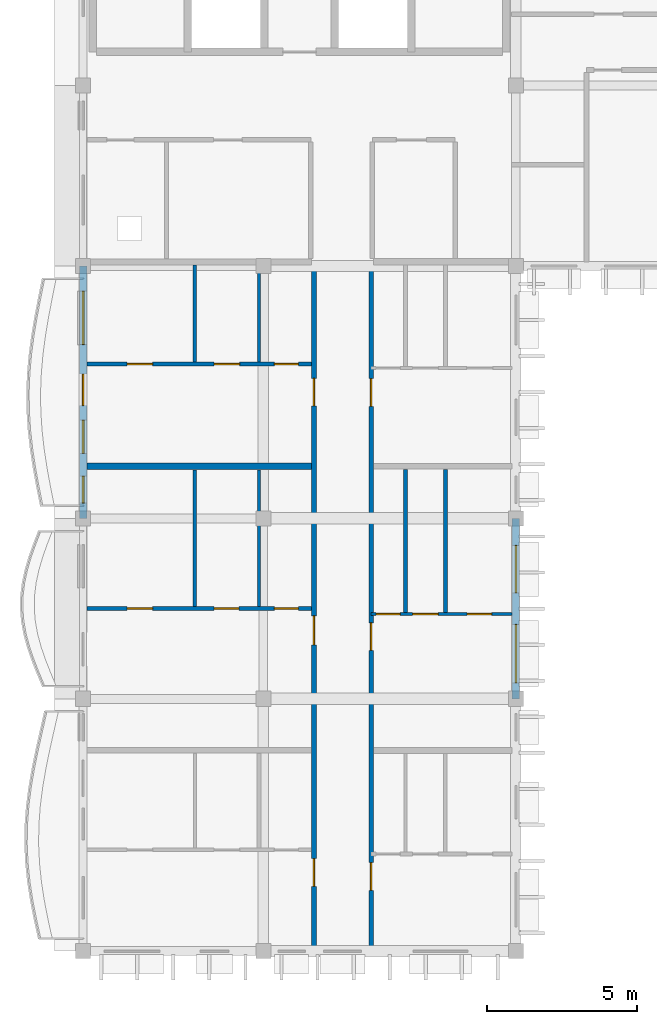
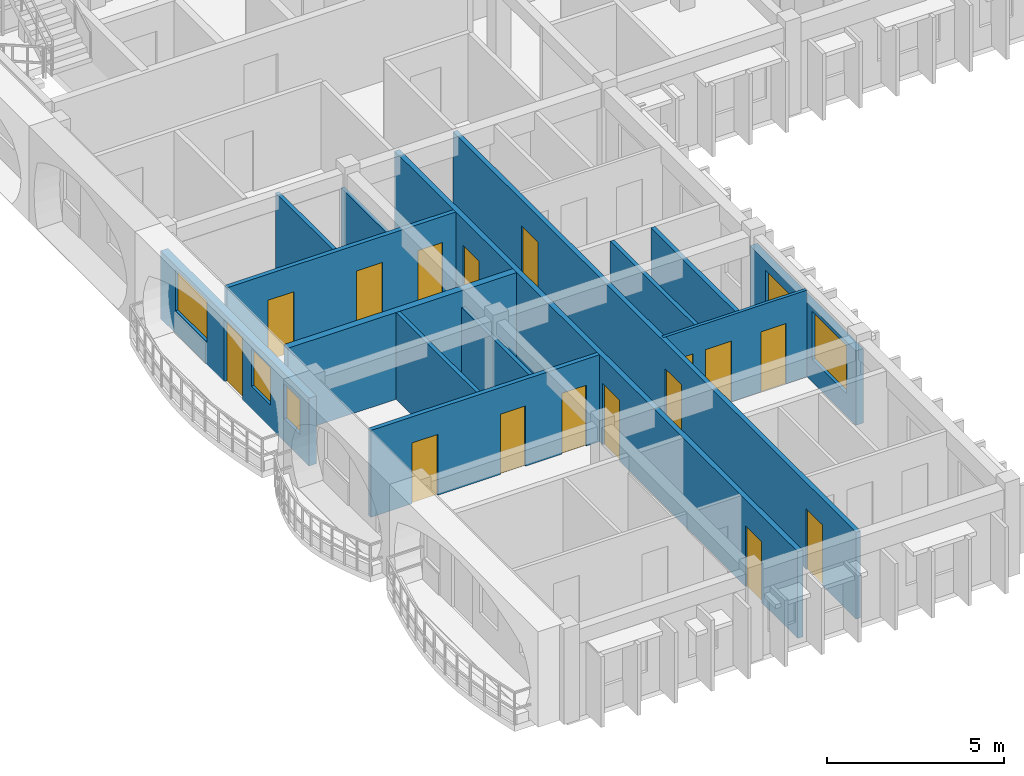
# One storey, part 7 of 28: 16 doors, 14 walls, 5 windows, 21 openings.
"""IFC4 building model written with IfcOpenShell, lengths in metres."""

import ifcopenshell
import ifcopenshell.guid

model = None  # the IFC model being written
_history = None  # IfcOwnerHistory: only IFC2X3 demands one
_inside = {}  # id of a spatial element -> (the spatial element, [elements in it])
_under = {}  # id of a project, library or spatial element -> (it, [spatial elements below it])
_declared = {}  # id of a project -> (the project, [libraries it declares])
_typed = {}  # id of a type object -> (the type object, [elements of that type])
_made_of = {}  # id of a material, layer set ... -> (it, [elements and type objects made of it])


def new_model(schema):
    """Start an empty IFC model of exactly this schema.

    Asked for "IFC4X3", IfcOpenShell would pick the latest addendum, in which some entities
    have other attributes; the version numbers below select the first issue.
    IFC2X3 requires an IfcOwnerHistory on every rooted entity: one is made here for all.
    """
    global model, _history
    if schema == "IFC4X3":
        model = ifcopenshell.file(schema_version=(4, 3, 0, 0))
    else:
        model = ifcopenshell.file(schema=schema)
    _inside.clear()
    _under.clear()
    _declared.clear()
    _typed.clear()
    _made_of.clear()
    _history = None
    if model.schema == "IFC2X3":
        org = make("IfcOrganization", Name="unknown")
        user = make(
            "IfcPersonAndOrganization",
            ThePerson=make("IfcPerson", FamilyName="unknown"),
            TheOrganization=org,
        )
        app = make(
            "IfcApplication",
            ApplicationDeveloper=org,
            Version="unknown",
            ApplicationFullName="unknown",
            ApplicationIdentifier="unknown",
        )
        _history = make(
            "IfcOwnerHistory",
            OwningUser=user,
            OwningApplication=app,
            ChangeAction="ADDED",
            CreationDate=0,
        )
    return model


def make(cls, **values):
    """One entity of the class cls with the attributes given. An attribute that is None is left unset."""
    return model.create_entity(
        cls, **{name: value for name, value in values.items() if value is not None}
    )


def rooted(cls, **values):
    """An entity with a GlobalId (a new one), such as an element, a storey or a relation."""
    return make(cls, GlobalId=ifcopenshell.guid.new(), OwnerHistory=_history, **values)


def si_unit(unit_type, name, prefix=None):
    """IfcSIUnit, for example si_unit("LENGTHUNIT", "METRE", prefix="MILLI")."""
    return make("IfcSIUnit", UnitType=unit_type, Prefix=prefix, Name=name)


def assignment(units):
    """IfcUnitAssignment: the units of a project."""
    return None if units is None else make("IfcUnitAssignment", Units=units)


def point(xyz):
    """IfcCartesianPoint."""
    return None if xyz is None else make("IfcCartesianPoint", Coordinates=xyz)


def direction(xyz):
    """IfcDirection."""
    return None if xyz is None else make("IfcDirection", DirectionRatios=xyz)


def frame(location, z_axis=None, x_axis=None):
    """IfcAxis2Placement3D, a coordinate frame: its origin and axes. An axis left out is left unset."""
    return make(
        "IfcAxis2Placement3D",
        Location=point(location),
        Axis=direction(z_axis),
        RefDirection=direction(x_axis),
    )


def frame_2d(location, x_axis=None):
    """IfcAxis2Placement2D, a coordinate frame in the plane: its origin and x axis."""
    return make(
        "IfcAxis2Placement2D", Location=point(location), RefDirection=direction(x_axis)
    )


def origin():
    """The frame at (0, 0, 0) with its axes left unset."""
    return frame((0.0, 0.0, 0.0))


def place(relative_to, where):
    """IfcLocalPlacement: puts the frame where relative to a parent placement (None: the world)."""
    return make(
        "IfcLocalPlacement", PlacementRelTo=relative_to, RelativePlacement=where
    )


def context(
    kind, dimensions, precision=None, world=None, true_north=None, identifier=None
):
    """IfcGeometricRepresentationContext, for example the 3D "Model" context."""
    return make(
        "IfcGeometricRepresentationContext",
        ContextIdentifier=identifier,
        ContextType=kind,
        CoordinateSpaceDimension=dimensions,
        Precision=precision,
        WorldCoordinateSystem=world,
        TrueNorth=true_north,
    )


def subcontext(parent, identifier, kind, view, scale=None):
    """IfcGeometricRepresentationSubContext, for example "Body" below "Model"."""
    return make(
        "IfcGeometricRepresentationSubContext",
        ContextIdentifier=identifier,
        ContextType=kind,
        ParentContext=parent,
        TargetScale=scale,
        TargetView=view,
    )


def project(units=None, contexts=None):
    """IfcProject with its units and contexts."""
    return rooted(
        "IfcProject",
        Name="project",
        RepresentationContexts=contexts,
        UnitsInContext=assignment(units),
    )


def spatial(cls, under=None, at=None, **own):
    """A site, building, storey or space (cls), placed at a placement, below another one or the project."""
    s = rooted(cls, ObjectPlacement=at, **own)
    if under is not None:
        _under.setdefault(under.id(), (under, []))[1].append(s)
    return s


def profile(cls, at=None, kind="AREA", **sizes):
    """A parametric profile (cls). Its sizes go by their IFC names, for example OverallWidth=200.0."""
    return make(cls, ProfileType=kind, Position=at, **sizes)


def rectangle(**sizes):
    """IfcRectangleProfileDef."""
    return profile("IfcRectangleProfileDef", **sizes)


def extrude(swept, where, along, depth):
    """IfcExtrudedAreaSolid: the profile swept, set in the frame where, extruded along a direction by depth."""
    return make(
        "IfcExtrudedAreaSolid",
        SweptArea=swept,
        Position=where,
        ExtrudedDirection=direction(along),
        Depth=depth,
    )


def shape(context_of_items, identifier, shape_type, items):
    """IfcShapeRepresentation: the items that make up one representation, for example the "Body"."""
    return make(
        "IfcShapeRepresentation",
        ContextOfItems=context_of_items,
        RepresentationIdentifier=identifier,
        RepresentationType=shape_type,
        Items=items,
    )


def material(Name=None, Category=None):
    """IfcMaterial."""
    return make("IfcMaterial", Name=Name, Category=Category)


def layer(
    of_material, thickness, ventilated=None, Name=None, Category=None, Priority=None
):
    """IfcMaterialLayer: one layer of a wall or slab, of a material (None: an air gap)."""
    return make(
        "IfcMaterialLayer",
        Material=of_material,
        LayerThickness=thickness,
        IsVentilated=ventilated,
        Name=Name,
        Category=Category,
        Priority=Priority,
    )


def layer_set(layers, Name=None):
    """IfcMaterialLayerSet."""
    return make("IfcMaterialLayerSet", MaterialLayers=layers, LayerSetName=Name)


def made_of(thing, what):
    """Note that an element or type object is made of a material, layer set ...; save() writes the relation."""
    if what is not None:
        _made_of.setdefault(what.id(), (what, []))[1].append(thing)
    return thing


def type_object(cls, material=None, **own):
    """A type object (cls), such as IfcWallType, which elements share."""
    return made_of(rooted(cls, **own), material)


def element(
    cls,
    number,
    at=None,
    inside=None,
    cuts=None,
    type_object=None,
    material=None,
    context=None,
    identifier="Body",
    shape_type=None,
    held_by="IfcProductDefinitionShape",
    body=None,
    shapes=None,
    **own,
):
    """One element of the class cls, such as IfcWall. Its Tag is "e" and its number.

    at: its placement. inside: the storey or other place that contains it. cuts: it is an
    opening in that element (IfcRelVoidsElement). A single representation is given by context,
    identifier, shape_type and body (its items); several are given by shapes. held_by: the class
    of the entity that holds the representations. save() writes the other relations.
    """
    e = rooted(cls, Tag="e%d" % number, ObjectPlacement=at, **own)
    if body is not None:
        shapes = [shape(context, identifier, shape_type, body)]
    if shapes is not None:
        e.Representation = make(held_by, Representations=shapes)
    if inside is not None:
        _inside.setdefault(inside.id(), (inside, []))[1].append(e)
    if cuts is not None:
        rooted(
            "IfcRelVoidsElement", RelatingBuildingElement=cuts, RelatedOpeningElement=e
        )
    if type_object is not None:
        _typed.setdefault(type_object.id(), (type_object, []))[1].append(e)
    return made_of(e, material)


def fill(opening, filler):
    """IfcRelFillsElement: the door or window that sits in an opening."""
    return rooted(
        "IfcRelFillsElement",
        RelatingOpeningElement=opening,
        RelatedBuildingElement=filler,
    )


def aggregate(whole, parts):
    """IfcRelAggregates: a whole, such as a stair, and the parts it consists of."""
    return rooted("IfcRelAggregates", RelatingObject=whole, RelatedObjects=parts)


def save(model, path):
    """Write the relations noted so far, then the file.

    IfcRelAggregates (storeys below a building ...), IfcRelContainedInSpatialStructure (elements
    in a storey), IfcRelDefinesByType, IfcRelAssociatesMaterial and IfcRelDeclares: one each for
    every whole, place, type object, material and project.
    """
    for whole, parts in _under.values():
        aggregate(whole, parts)
    for where, things in _inside.values():
        rooted(
            "IfcRelContainedInSpatialStructure",
            RelatedElements=things,
            RelatingStructure=where,
        )
    for kind, things in _typed.values():
        rooted("IfcRelDefinesByType", RelatedObjects=things, RelatingType=kind)
    for what, things in _made_of.values():
        rooted("IfcRelAssociatesMaterial", RelatedObjects=things, RelatingMaterial=what)
    for by, libraries in _declared.values():
        rooted("IfcRelDeclares", RelatingContext=by, RelatedDefinitions=libraries)
    model.write(path)


model = new_model("IFC4")

# Units and contexts
model_context = context("Model", 3, precision=1e-05, world=origin(), true_north=direction((0.0, 1.0)))
body_context = subcontext(model_context, "Body", "Model", "MODEL_VIEW")
ifc_project = project(units=[si_unit("LENGTHUNIT", "METRE"), si_unit("AREAUNIT", "SQUARE_METRE"), si_unit("VOLUMEUNIT", "CUBIC_METRE"), si_unit("PLANEANGLEUNIT", "RADIAN"), si_unit("MASSUNIT", "GRAM", prefix="KILO"), si_unit("THERMODYNAMICTEMPERATUREUNIT", "KELVIN")], contexts=[model_context])

# Site, building, storey
site_placement = place(None, origin())
site = spatial("IfcSite", under=ifc_project, at=site_placement, CompositionType="ELEMENT")
building_placement = place(site_placement, origin())
building = spatial("IfcBuilding", under=site, at=building_placement, Name="Thalorik Housing Commons", CompositionType="ELEMENT")
storey_placement = place(building_placement, frame((0.0, 0.0, 41.10009765625)))
storey = spatial("IfcBuildingStorey", under=building, at=storey_placement, Name="L12", CompositionType="ELEMENT", Elevation=41.10009765625)

# Wall, openings, doors
ifc_material_1 = material(Name="Masonry fire-rated corridor wall", Category="masonry")
ifc_layer_1 = layer(ifc_material_1, 0.14990234375, Name="Masonry fire-rated corridor wall", Category="masonry")
ifc_layer_set_1 = layer_set([ifc_layer_1], Name="Masonry fire-rated corridor wall")
wall_type_1 = type_object("IfcWallType", Name="ARC-WAL-CORR-150", PredefinedType="PARTITIONING", material=ifc_layer_set_1)
wall_1_placement = place(storey_placement, frame((17.97998046875, 86.5244140625, 0.0), z_axis=(0.0, 0.0, 1.0), x_axis=(0.0, 1.0, 0.0)))
wall_1 = element("IfcWall", 1, at=wall_1_placement, inside=storey, type_object=wall_type_1, Name="L12 Block A W Corridor Wall 2", PredefinedType="PARTITIONING", context=body_context, shape_type="SweptSolid", body=[
    extrude(rectangle(XDim=22.815673828125, YDim=0.14990234375, at=frame_2d((11.40771484375, 0.0))), origin(), (0.0, 0.0, 1.0), 3.0),
])
opening_1_placement = place(wall_1_placement, frame((1.903076171875, 0.0, 0.0)))
opening_1 = element("IfcOpeningElement", 2, at=opening_1_placement, cuts=wall_1, Name="Opening ID-0922", PredefinedType="OPENING", context=body_context, shape_type="SweptSolid", body=[
    extrude(rectangle(XDim=0.919921875, YDim=2.10009765625, at=frame_2d((0.4599609375, 1.050048828125))), frame((0.0, 0.0849609375, 0.0), z_axis=(0.0, -1.0, 0.0), x_axis=(1.0, 0.0, 0.0)), (0.0, 0.0, 1.0), 0.169921875),
])
opening_2_placement = place(wall_1_placement, frame((9.881591796875, 0.0, 0.0)))
opening_2 = element("IfcOpeningElement", 3, at=opening_2_placement, cuts=wall_1, Name="Opening ID-0923", PredefinedType="OPENING", context=body_context, shape_type="SweptSolid", body=[
    extrude(rectangle(XDim=0.919921875, YDim=2.10009765625, at=frame_2d((0.4599609375, 1.050048828125))), frame((0.0, 0.0849609375, 0.0), z_axis=(0.0, -1.0, 0.0), x_axis=(1.0, 0.0, 0.0)), (0.0, 0.0, 1.0), 0.169921875),
])
opening_3_placement = place(wall_1_placement, frame((18.0078125, 0.0, 0.0)))
opening_3 = element("IfcOpeningElement", 4, at=opening_3_placement, cuts=wall_1, Name="Opening ID-0924", PredefinedType="OPENING", context=body_context, shape_type="SweptSolid", body=[
    extrude(rectangle(XDim=0.919921875, YDim=2.10009765625, at=frame_2d((0.4599609375, 1.050048828125))), frame((0.0, 0.0849609375, 0.0), z_axis=(0.0, -1.0, 0.0), x_axis=(1.0, 0.0, 0.0)), (0.0, 0.0, 1.0), 0.169921875),
])
ifc_material_2 = material(Name="Solid core hardwood timber", Category="wood")
door_type_1 = type_object("IfcDoorType", Name="ARC-DR-FD30-920", OperationType="NOTDEFINED", PredefinedType="DOOR", material=ifc_material_2)
door_1_placement = place(opening_1_placement, origin())
door_1 = element("IfcDoor", 5, at=door_1_placement, inside=storey, type_object=door_type_1, Name="L12 Flat AW-1B Entrance Door", OperationType="SINGLE_SWING_LEFT", OverallHeight=2.10009765625, OverallWidth=0.919921875, PredefinedType="DOOR", context=body_context, shape_type="SweptSolid", body=[
    extrude(rectangle(XDim=0.919921875, YDim=2.10009765625, at=frame_2d((0.4599609375, 1.050048828125))), frame((0.0, 0.02490234375, 0.0), z_axis=(0.0, -1.0, 0.0), x_axis=(1.0, 0.0, 0.0)), (0.0, 0.0, 1.0), 0.050048828125),
])
fill(opening_1, door_1)
door_2_placement = place(opening_2_placement, origin())
door_2 = element("IfcDoor", 6, at=door_2_placement, inside=storey, type_object=door_type_1, Name="L12 Flat AW-2B Entrance Door", OperationType="SINGLE_SWING_RIGHT", OverallHeight=2.10009765625, OverallWidth=0.919921875, PredefinedType="DOOR", context=body_context, shape_type="SweptSolid", body=[
    extrude(rectangle(XDim=0.919921875, YDim=2.10009765625, at=frame_2d((0.4599609375, 1.050048828125))), frame((0.0, 0.02490234375, 0.0), z_axis=(0.0, -1.0, 0.0), x_axis=(1.0, 0.0, 0.0)), (0.0, 0.0, 1.0), 0.050048828125),
])
fill(opening_2, door_2)
door_3_placement = place(opening_3_placement, origin())
door_3 = element("IfcDoor", 7, at=door_3_placement, inside=storey, type_object=door_type_1, Name="L12 Flat AW-3B Entrance Door", OperationType="SINGLE_SWING_LEFT", OverallHeight=2.10009765625, OverallWidth=0.919921875, PredefinedType="DOOR", context=body_context, shape_type="SweptSolid", body=[
    extrude(rectangle(XDim=0.919921875, YDim=2.10009765625, at=frame_2d((0.4599609375, 1.050048828125))), frame((0.0, 0.02490234375, 0.0), z_axis=(0.0, -1.0, 0.0), x_axis=(1.0, 0.0, 0.0)), (0.0, 0.0, 1.0), 0.050048828125),
])
fill(opening_3, door_3)

ifc_layer_2 = layer(ifc_material_1, 0.1650390625, Name="Masonry fire-rated corridor wall", Category="masonry")
ifc_layer_set_2 = layer_set([ifc_layer_2], Name="Masonry fire-rated corridor wall")
wall_type_2 = type_object("IfcWallType", Name="ARC-WAL-CORR-165", PredefinedType="PARTITIONING", material=ifc_layer_set_2)
wall_2_placement = place(storey_placement, frame((16.080078125, 86.5244140625, 0.0), z_axis=(0.0, 0.0, 1.0), x_axis=(0.0, 1.0, 0.0)))
wall_2 = element("IfcWall", 8, at=wall_2_placement, inside=storey, type_object=wall_type_2, Name="L12 Block A W Corridor Wall 1", PredefinedType="PARTITIONING", context=body_context, shape_type="SweptSolid", body=[
    extrude(rectangle(XDim=22.815673828125, YDim=0.1650390625, at=frame_2d((11.40771484375, 0.0))), origin(), (0.0, 0.0, 1.0), 3.0),
])
opening_4_placement = place(wall_2_placement, frame((2.035400390625, 0.0, 0.0)))
opening_4 = element("IfcOpeningElement", 9, at=opening_4_placement, cuts=wall_2, Name="Opening ID-0919", PredefinedType="OPENING", context=body_context, shape_type="SweptSolid", body=[
    extrude(rectangle(XDim=0.919921875, YDim=2.10009765625, at=frame_2d((0.4599609375, 1.050048828125))), frame((0.0, 0.092529296875, 0.0), z_axis=(0.0, -1.0, 0.0), x_axis=(1.0, 0.0, 0.0)), (0.0, 0.0, 1.0), 0.18505859375),
])
opening_5_placement = place(wall_2_placement, frame((10.070556640625, 0.0, 0.0)))
opening_5 = element("IfcOpeningElement", 10, at=opening_5_placement, cuts=wall_2, Name="Opening ID-0920", PredefinedType="OPENING", context=body_context, shape_type="SweptSolid", body=[
    extrude(rectangle(XDim=0.9599609375, YDim=2.1201171875, at=frame_2d((0.47998046875, 1.06005859375))), frame((0.0, 0.092529296875, 0.0), z_axis=(0.0, -1.0, 0.0), x_axis=(1.0, 0.0, 0.0)), (0.0, 0.0, 1.0), 0.18505859375),
])
opening_6_placement = place(wall_2_placement, frame((18.018310546875, 0.0, 0.0)))
opening_6 = element("IfcOpeningElement", 11, at=opening_6_placement, cuts=wall_2, Name="Opening ID-0921", PredefinedType="OPENING", context=body_context, shape_type="SweptSolid", body=[
    extrude(rectangle(XDim=0.919921875, YDim=2.10009765625, at=frame_2d((0.4599609375, 1.050048828125))), frame((0.0, 0.092529296875, 0.0), z_axis=(0.0, -1.0, 0.0), x_axis=(1.0, 0.0, 0.0)), (0.0, 0.0, 1.0), 0.18505859375),
])
door_4_placement = place(opening_4_placement, origin())
door_4 = element("IfcDoor", 12, at=door_4_placement, inside=storey, type_object=door_type_1, Name="L12 Flat AW-1A Entrance Door", OperationType="SINGLE_SWING_RIGHT", OverallHeight=2.10009765625, OverallWidth=0.919921875, PredefinedType="DOOR", context=body_context, shape_type="SweptSolid", body=[
    extrude(rectangle(XDim=0.919921875, YDim=2.10009765625, at=frame_2d((0.4599609375, 1.050048828125))), frame((0.0, 0.02490234375, 0.0), z_axis=(0.0, -1.0, 0.0), x_axis=(1.0, 0.0, 0.0)), (0.0, 0.0, 1.0), 0.050048828125),
])
fill(opening_4, door_4)
door_5_placement = place(opening_6_placement, origin())
door_5 = element("IfcDoor", 13, at=door_5_placement, inside=storey, type_object=door_type_1, Name="L12 Flat AW-3A Entrance Door", OperationType="SINGLE_SWING_RIGHT", OverallHeight=2.10009765625, OverallWidth=0.919921875, PredefinedType="DOOR", context=body_context, shape_type="SweptSolid", body=[
    extrude(rectangle(XDim=0.919921875, YDim=2.10009765625, at=frame_2d((0.4599609375, 1.050048828125))), frame((0.0, 0.02490234375, 0.0), z_axis=(0.0, -1.0, 0.0), x_axis=(1.0, 0.0, 0.0)), (0.0, 0.0, 1.0), 0.050048828125),
])
fill(opening_6, door_5)
door_type_2 = type_object("IfcDoorType", Name="ARC-DR-FD30-960", OperationType="NOTDEFINED", PredefinedType="DOOR", material=ifc_material_2)
door_6_placement = place(opening_5_placement, origin())
door_6 = element("IfcDoor", 14, at=door_6_placement, inside=storey, type_object=door_type_2, Name="L12 Flat AW-2A Entrance Door", OperationType="SINGLE_SWING_LEFT", OverallHeight=2.1201171875, OverallWidth=0.9599609375, PredefinedType="DOOR", context=body_context, shape_type="SweptSolid", body=[
    extrude(rectangle(XDim=0.9599609375, YDim=2.1201171875, at=frame_2d((0.47998046875, 1.06005859375))), frame((0.0, 0.02490234375, 0.0), z_axis=(0.0, -1.0, 0.0), x_axis=(1.0, 0.0, 0.0)), (0.0, 0.0, 1.0), 0.050048828125),
])
fill(opening_5, door_6)

# Wall, openings, door, windows
ifc_material_3 = material(Name="White precast concrete C40/50", Category="concrete")
ifc_layer_3 = layer(ifc_material_3, 0.2451171875, Name="White precast concrete C40/50", Category="concrete")
ifc_layer_set_3 = layer_set([ifc_layer_3], Name="White precast concrete C40/50")
wall_type_3 = type_object("IfcWallType", Name="ARC-WAL-EXT-245", PredefinedType="STANDARD", material=ifc_layer_set_3)
wall_3_placement = place(storey_placement, frame((8.39990234375, 109.199951171875, 0.0), z_axis=(0.0, 0.0, 1.0), x_axis=(0.0, -1.0, 0.0)))
wall_3 = element("IfcWall", 15, at=wall_3_placement, inside=storey, type_object=wall_type_3, Name="L12 Exterior Wall WAL-EXT-L12-A-0307", PredefinedType="STANDARD", context=body_context, shape_type="SweptSolid", body=[
    extrude(rectangle(XDim=8.39990234375, YDim=0.2451171875, at=frame_2d((4.199951171875, 0.0))), origin(), (0.0, 0.0, 1.0), 2.344970703125),
])
opening_7_placement = place(wall_3_placement, frame((3.594970703125, 0.0, 0.0)))
opening_7 = element("IfcOpeningElement", 16, at=opening_7_placement, cuts=wall_3, Name="Opening ED-0098", PredefinedType="OPENING", context=body_context, shape_type="SweptSolid", body=[
    extrude(rectangle(XDim=1.050048828125, YDim=2.14990234375, at=frame_2d((0.52490234375, 1.074951171875))), frame((0.0, 0.132568359375, 0.0), z_axis=(0.0, -1.0, 0.0), x_axis=(1.0, 0.0, 0.0)), (0.0, 0.0, 1.0), 0.26513671875),
])
opening_8_placement = place(wall_3_placement, frame((0.83740234375, 0.0, 0.780029296875)))
opening_8 = element("IfcOpeningElement", 17, at=opening_8_placement, cuts=wall_3, Name="Opening W-57", PredefinedType="OPENING", context=body_context, shape_type="SweptSolid", body=[
    extrude(rectangle(XDim=1.780029296875, YDim=1.419921875, at=frame_2d((0.89013671875, 0.7099609375))), frame((0.0, 0.132568359375, 0.0), z_axis=(0.0, -1.0, 0.0), x_axis=(1.0, 0.0, 0.0)), (0.0, 0.0, 1.0), 0.26513671875),
])
opening_9_placement = place(wall_3_placement, frame((5.132568359375, 0.0, 0.780029296875)))
opening_9 = element("IfcOpeningElement", 18, at=opening_9_placement, cuts=wall_3, Name="Opening W-03", PredefinedType="OPENING", context=body_context, shape_type="SweptSolid", body=[
    extrude(rectangle(XDim=1.10009765625, YDim=1.300048828125, at=frame_2d((0.550048828125, 0.64990234375))), frame((0.0, 0.132568359375, 0.0), z_axis=(0.0, -1.0, 0.0), x_axis=(1.0, 0.0, 0.0)), (0.0, 0.0, 1.0), 0.26513671875),
])
opening_10_placement = place(wall_3_placement, frame((6.989990234375, 0.0, 0.780029296875)))
opening_10 = element("IfcOpeningElement", 19, at=opening_10_placement, cuts=wall_3, Name="Opening W-01", PredefinedType="OPENING", context=body_context, shape_type="SweptSolid", body=[
    extrude(rectangle(XDim=0.89990234375, YDim=1.199951171875, at=frame_2d((0.449951171875, 0.60009765625))), frame((0.0, 0.132568359375, 0.0), z_axis=(0.0, -1.0, 0.0), x_axis=(1.0, 0.0, 0.0)), (0.0, 0.0, 1.0), 0.26513671875),
])
ifc_material_4 = material(Name="Anodised aluminium and laminated safety glass", Category="aluminium")
door_type_3 = type_object("IfcDoorType", Name="ARC-DR-BAL-1050", OperationType="NOTDEFINED", PredefinedType="DOOR", material=ifc_material_4)
door_7_placement = place(opening_7_placement, frame((1.050048828125, 0.0, 0.0), z_axis=(0.0, 0.0, 1.0), x_axis=(-1.0, 0.0, 0.0)))
door_7 = element("IfcDoor", 20, at=door_7_placement, inside=storey, type_object=door_type_3, Name="L12 Block A Balcony Glazed Door", OperationType="SINGLE_SWING_LEFT", OverallHeight=2.14990234375, OverallWidth=1.050048828125, PredefinedType="DOOR", context=body_context, shape_type="SweptSolid", body=[
    extrude(rectangle(XDim=1.050048828125, YDim=2.14990234375, at=frame_2d((0.52490234375, 1.074951171875))), frame((0.0, 0.02490234375, 0.0), z_axis=(0.0, -1.0, 0.0), x_axis=(1.0, 0.0, 0.0)), (0.0, 0.0, 1.0), 0.050048828125),
])
fill(opening_7, door_7)
ifc_material_5 = material(Name="Anodised aluminium and solar-control low-E glass", Category="aluminium")
window_type_1 = type_object("IfcWindowType", Name="ARC-WIN-01", PartitioningType="SINGLE_PANEL", PredefinedType="WINDOW", material=ifc_material_5)
window_1_placement = place(opening_10_placement, origin())
window_1 = element("IfcWindow", 21, at=window_1_placement, inside=storey, type_object=window_type_1, Name="L12 Facade Window 551", OverallHeight=1.199951171875, OverallWidth=0.89990234375, PartitioningType="SINGLE_PANEL", PredefinedType="WINDOW", context=body_context, shape_type="SweptSolid", body=[
    extrude(rectangle(XDim=0.89990234375, YDim=1.199951171875, at=frame_2d((0.449951171875, 0.60009765625))), frame((0.0, 0.030029296875, 0.0), z_axis=(0.0, -1.0, 0.0), x_axis=(1.0, 0.0, 0.0)), (0.0, 0.0, 1.0), 0.06005859375),
])
fill(opening_10, window_1)
window_type_2 = type_object("IfcWindowType", Name="ARC-WIN-03", PartitioningType="SINGLE_PANEL", PredefinedType="WINDOW", material=ifc_material_5)
window_2_placement = place(opening_9_placement, origin())
window_2 = element("IfcWindow", 22, at=window_2_placement, inside=storey, type_object=window_type_2, Name="L12 Facade Window 550", OverallHeight=1.300048828125, OverallWidth=1.10009765625, PartitioningType="SINGLE_PANEL", PredefinedType="WINDOW", context=body_context, shape_type="SweptSolid", body=[
    extrude(rectangle(XDim=1.10009765625, YDim=1.300048828125, at=frame_2d((0.550048828125, 0.64990234375))), frame((0.0, 0.030029296875, 0.0), z_axis=(0.0, -1.0, 0.0), x_axis=(1.0, 0.0, 0.0)), (0.0, 0.0, 1.0), 0.06005859375),
])
fill(opening_9, window_2)
window_type_3 = type_object("IfcWindowType", Name="ARC-WIN-57", PartitioningType="DOUBLE_PANEL_VERTICAL", PredefinedType="WINDOW", material=ifc_material_5)
window_3_placement = place(opening_8_placement, origin())
window_3 = element("IfcWindow", 23, at=window_3_placement, inside=storey, type_object=window_type_3, Name="L12 Facade Window 549", OverallHeight=1.419921875, OverallWidth=1.780029296875, PartitioningType="DOUBLE_PANEL_VERTICAL", PredefinedType="WINDOW", context=body_context, shape_type="SweptSolid", body=[
    extrude(rectangle(XDim=1.780029296875, YDim=1.419921875, at=frame_2d((0.89013671875, 0.7099609375))), frame((0.0, 0.030029296875, 0.0), z_axis=(0.0, -1.0, 0.0), x_axis=(1.0, 0.0, 0.0)), (0.0, 0.0, 1.0), 0.06005859375),
])
fill(opening_8, window_3)

# Wall, openings, windows
wall_4_placement = place(storey_placement, frame((22.800048828125, 94.800048828125, 0.0), z_axis=(0.0, 0.0, 1.0), x_axis=(0.0, 1.0, 0.0)))
wall_4 = element("IfcWall", 24, at=wall_4_placement, inside=storey, type_object=wall_type_3, Name="L12 Exterior Wall WAL-EXT-L12-A-0313", PredefinedType="STANDARD", context=body_context, shape_type="SweptSolid", body=[
    extrude(rectangle(XDim=6.0, YDim=0.2451171875, at=frame_2d((3.0, 0.0))), origin(), (0.0, 0.0, 1.0), 2.574951171875),
])
opening_11_placement = place(wall_4_placement, frame((0.528076171875, 0.0, 0.780029296875)))
opening_11 = element("IfcOpeningElement", 25, at=opening_11_placement, cuts=wall_4, Name="Opening W-22", PredefinedType="OPENING", context=body_context, shape_type="SweptSolid", body=[
    extrude(rectangle(XDim=1.949951171875, YDim=1.64990234375, at=frame_2d((0.97509765625, 0.824951171875))), frame((0.0, 0.132568359375, 0.0), z_axis=(0.0, -1.0, 0.0), x_axis=(1.0, 0.0, 0.0)), (0.0, 0.0, 1.0), 0.26513671875),
])
opening_12_placement = place(wall_4_placement, frame((3.52294921875, 0.0, 0.780029296875)))
opening_12 = element("IfcOpeningElement", 26, at=opening_12_placement, cuts=wall_4, Name="Opening W-53", PredefinedType="OPENING", context=body_context, shape_type="SweptSolid", body=[
    extrude(rectangle(XDim=1.580078125, YDim=1.47998046875, at=frame_2d((0.7900390625, 0.739990234375))), frame((0.0, 0.132568359375, 0.0), z_axis=(0.0, -1.0, 0.0), x_axis=(1.0, 0.0, 0.0)), (0.0, 0.0, 1.0), 0.26513671875),
])
window_type_4 = type_object("IfcWindowType", Name="ARC-WIN-22", PartitioningType="DOUBLE_PANEL_VERTICAL", PredefinedType="WINDOW", material=ifc_material_5)
window_4_placement = place(opening_11_placement, origin())
window_4 = element("IfcWindow", 27, at=window_4_placement, inside=storey, type_object=window_type_4, Name="L12 Facade Window 564", OverallHeight=1.64990234375, OverallWidth=1.949951171875, PartitioningType="DOUBLE_PANEL_VERTICAL", PredefinedType="WINDOW", context=body_context, shape_type="SweptSolid", body=[
    extrude(rectangle(XDim=1.949951171875, YDim=1.64990234375, at=frame_2d((0.97509765625, 0.824951171875))), frame((0.0, 0.030029296875, 0.0), z_axis=(0.0, -1.0, 0.0), x_axis=(1.0, 0.0, 0.0)), (0.0, 0.0, 1.0), 0.06005859375),
])
fill(opening_11, window_4)
window_type_5 = type_object("IfcWindowType", Name="ARC-WIN-53", PartitioningType="SINGLE_PANEL", PredefinedType="WINDOW", material=ifc_material_5)
window_5_placement = place(opening_12_placement, origin())
window_5 = element("IfcWindow", 28, at=window_5_placement, inside=storey, type_object=window_type_5, Name="L12 Facade Window 565", OverallHeight=1.47998046875, OverallWidth=1.580078125, PartitioningType="SINGLE_PANEL", PredefinedType="WINDOW", context=body_context, shape_type="SweptSolid", body=[
    extrude(rectangle(XDim=1.580078125, YDim=1.47998046875, at=frame_2d((0.7900390625, 0.739990234375))), frame((0.0, 0.030029296875, 0.0), z_axis=(0.0, -1.0, 0.0), x_axis=(1.0, 0.0, 0.0)), (0.0, 0.0, 1.0), 0.06005859375),
])
fill(opening_12, window_5)

# Wall, openings, doors
ifc_material_6 = material(Name="Gypsum light stud partition", Category="masonry")
ifc_layer_4 = layer(ifc_material_6, 0.10009765625, Name="Gypsum light stud partition", Category="masonry")
ifc_layer_set_4 = layer_set([ifc_layer_4], Name="Gypsum light stud partition")
wall_type_4 = type_object("IfcWallType", Name="ARC-WAL-PART-100", PredefinedType="PARTITIONING", material=ifc_layer_set_4)
wall_5_placement = place(storey_placement, frame((17.97998046875, 97.615966796875, 0.0), z_axis=(0.0, 0.0, 1.0), x_axis=(1.0, 0.0, 0.0)))
wall_5 = element("IfcWall", 29, at=wall_5_placement, inside=storey, type_object=wall_type_4, Name="L12 Unit 2B Spine Partition", PredefinedType="PARTITIONING", context=body_context, shape_type="SweptSolid", body=[
    extrude(rectangle(XDim=4.695556640625, YDim=0.10009765625, at=frame_2d((2.34765625, 0.0))), origin(), (0.0, 0.0, 1.0), 3.0),
])
opening_13_placement = place(wall_5_placement, frame((0.171142578125, 0.0, 0.0)))
opening_13 = element("IfcOpeningElement", 30, at=opening_13_placement, cuts=wall_5, Name="Opening ID-0910", PredefinedType="OPENING", context=body_context, shape_type="SweptSolid", body=[
    extrude(rectangle(XDim=0.800048828125, YDim=2.10009765625, at=frame_2d((0.39990234375, 1.050048828125))), frame((0.0, 0.06005859375, 0.0), z_axis=(0.0, -1.0, 0.0), x_axis=(1.0, 0.0, 0.0)), (0.0, 0.0, 1.0), 0.1201171875),
])
opening_14_placement = place(wall_5_placement, frame((1.3837890625, 0.0, 0.0)))
opening_14 = element("IfcOpeningElement", 31, at=opening_14_placement, cuts=wall_5, Name="Opening ID-0911", PredefinedType="OPENING", context=body_context, shape_type="SweptSolid", body=[
    extrude(rectangle(XDim=0.85009765625, YDim=2.10009765625, at=frame_2d((0.425048828125, 1.050048828125))), frame((0.0, 0.06005859375, 0.0), z_axis=(0.0, -1.0, 0.0), x_axis=(1.0, 0.0, 0.0)), (0.0, 0.0, 1.0), 0.1201171875),
])
opening_15_placement = place(wall_5_placement, frame((3.192626953125, 0.0, 0.0)))
opening_15 = element("IfcOpeningElement", 32, at=opening_15_placement, cuts=wall_5, Name="Opening ID-0912", PredefinedType="OPENING", context=body_context, shape_type="SweptSolid", body=[
    extrude(rectangle(XDim=0.820068359375, YDim=2.080078125, at=frame_2d((0.41015625, 1.0400390625))), frame((0.0, 0.06005859375, 0.0), z_axis=(0.0, -1.0, 0.0), x_axis=(1.0, 0.0, 0.0)), (0.0, 0.0, 1.0), 0.1201171875),
])
ifc_material_7 = material(Name="Moisture-resistant timber", Category="wood")
door_type_4 = type_object("IfcDoorType", Name="ARC-DR-INT-800", OperationType="NOTDEFINED", PredefinedType="DOOR", material=ifc_material_7)
door_8_placement = place(opening_13_placement, origin())
door_8 = element("IfcDoor", 33, at=door_8_placement, inside=storey, type_object=door_type_4, Name="L12 Flat Bathroom Door", OperationType="SINGLE_SWING_LEFT", OverallHeight=2.10009765625, OverallWidth=0.800048828125, PredefinedType="DOOR", context=body_context, shape_type="SweptSolid", body=[
    extrude(rectangle(XDim=0.800048828125, YDim=2.10009765625, at=frame_2d((0.39990234375, 1.050048828125))), frame((0.0, 0.02490234375, 0.0), z_axis=(0.0, -1.0, 0.0), x_axis=(1.0, 0.0, 0.0)), (0.0, 0.0, 1.0), 0.050048828125),
])
fill(opening_13, door_8)
ifc_material_8 = material(Name="Engineered oak timber", Category="wood")
door_type_5 = type_object("IfcDoorType", Name="ARC-DR-INT-820", OperationType="NOTDEFINED", PredefinedType="DOOR", material=ifc_material_8)
door_9_placement = place(opening_15_placement, origin())
door_9 = element("IfcDoor", 34, at=door_9_placement, inside=storey, type_object=door_type_5, Name="L12 Master Bedroom Door", OperationType="SINGLE_SWING_LEFT", OverallHeight=2.080078125, OverallWidth=0.820068359375, PredefinedType="DOOR", context=body_context, shape_type="SweptSolid", body=[
    extrude(rectangle(XDim=0.820068359375, YDim=2.080078125, at=frame_2d((0.41015625, 1.0400390625))), frame((0.0, 0.02490234375, 0.0), z_axis=(0.0, -1.0, 0.0), x_axis=(1.0, 0.0, 0.0)), (0.0, 0.0, 1.0), 0.050048828125),
])
fill(opening_15, door_9)
door_type_6 = type_object("IfcDoorType", Name="ARC-DR-INT-850", OperationType="NOTDEFINED", PredefinedType="DOOR", material=ifc_material_8)
door_10_placement = place(opening_14_placement, origin())
door_10 = element("IfcDoor", 35, at=door_10_placement, inside=storey, type_object=door_type_6, Name="L12 Eat-In Kitchen Door", OperationType="SINGLE_SWING_RIGHT", OverallHeight=2.10009765625, OverallWidth=0.85009765625, PredefinedType="DOOR", context=body_context, shape_type="SweptSolid", body=[
    extrude(rectangle(XDim=0.85009765625, YDim=2.10009765625, at=frame_2d((0.425048828125, 1.050048828125))), frame((0.0, 0.02490234375, 0.0), z_axis=(0.0, -1.0, 0.0), x_axis=(1.0, 0.0, 0.0)), (0.0, 0.0, 1.0), 0.050048828125),
])
fill(opening_14, door_10)

# Walls
ifc_material_9 = material(Name="Gypsum moisture-resistant partition", Category="masonry")
ifc_layer_5 = layer(ifc_material_9, 0.114990234375, Name="Gypsum moisture-resistant partition", Category="masonry")
ifc_layer_set_5 = layer_set([ifc_layer_5], Name="Gypsum moisture-resistant partition")
wall_type_5 = type_object("IfcWallType", Name="ARC-WAL-PART-115", PredefinedType="PARTITIONING", material=ifc_layer_set_5)
wall_6_placement = place(storey_placement, frame((14.251220703125, 97.876953125, 0.0), z_axis=(0.0, 0.0, 1.0), x_axis=(0.0, 1.0, 0.0)))
element("IfcWall", 36, at=wall_6_placement, inside=storey, type_object=wall_type_5, Name="L12 Unit 2 Wet Wall", PredefinedType="PARTITIONING", context=body_context, shape_type="SweptSolid", body=[
    extrude(rectangle(XDim=4.541015625, YDim=0.114990234375, at=frame_2d((2.2705078125, 0.0))), origin(), (0.0, 0.0, 1.0), 2.4248046875),
])
wall_7_placement = place(storey_placement, frame((14.251220703125, 106.007080078125, 0.0), z_axis=(0.0, 0.0, 1.0), x_axis=(0.0, 1.0, 0.0)))
element("IfcWall", 37, at=wall_7_placement, inside=storey, type_object=wall_type_5, Name="L12 Unit 3 Wet Wall", PredefinedType="PARTITIONING", context=body_context, shape_type="SweptSolid", body=[
    extrude(rectangle(XDim=3.23095703125, YDim=0.114990234375, at=frame_2d((1.615478515625, 0.0))), origin(), (0.0, 0.0, 1.0), 2.4248046875),
])
ifc_material_10 = material(Name="Gypsum acoustic stud partition", Category="masonry")
ifc_layer_6 = layer(ifc_material_10, 0.125, Name="Gypsum acoustic stud partition", Category="masonry")
ifc_layer_set_6 = layer_set([ifc_layer_6], Name="Gypsum acoustic stud partition")
wall_type_6 = type_object("IfcWallType", Name="ARC-WAL-PART-125", PredefinedType="PARTITIONING", material=ifc_layer_set_6)
wall_8_placement = place(storey_placement, frame((12.11767578125, 97.876953125, 0.0), z_axis=(0.0, 0.0, 1.0), x_axis=(0.0, 1.0, 0.0)))
element("IfcWall", 38, at=wall_8_placement, inside=storey, type_object=wall_type_6, Name="L12 Unit 2 Bedroom Partition", PredefinedType="PARTITIONING", context=body_context, shape_type="SweptSolid", body=[
    extrude(rectangle(XDim=4.541015625, YDim=0.125, at=frame_2d((2.2705078125, 0.0))), origin(), (0.0, 0.0, 1.0), 3.0),
])
wall_9_placement = place(storey_placement, frame((19.122314453125, 97.66796875, 0.0), z_axis=(0.0, 0.0, 1.0), x_axis=(0.0, 1.0, 0.0)))
element("IfcWall", 39, at=wall_9_placement, inside=storey, type_object=wall_type_6, Name="L12 Unit 2B Wet Wall", PredefinedType="PARTITIONING", context=body_context, shape_type="SweptSolid", body=[
    extrude(rectangle(XDim=4.767578125, YDim=0.125, at=frame_2d((2.3837890625, 0.0))), origin(), (0.0, 0.0, 1.0), 3.0),
])
wall_10_placement = place(storey_placement, frame((12.11767578125, 106.007080078125, 0.0), z_axis=(0.0, 0.0, 1.0), x_axis=(0.0, 1.0, 0.0)))
element("IfcWall", 40, at=wall_10_placement, inside=storey, type_object=wall_type_6, Name="L12 Unit 3 Bedroom Partition", PredefinedType="PARTITIONING", context=body_context, shape_type="SweptSolid", body=[
    extrude(rectangle(XDim=3.23095703125, YDim=0.125, at=frame_2d((1.615478515625, 0.0))), origin(), (0.0, 0.0, 1.0), 3.0),
])

# Wall, openings, doors
ifc_material_11 = material(Name="Ceramic masonry partition wall", Category="masonry")
ifc_layer_7 = layer(ifc_material_11, 0.139892578125, Name="Ceramic masonry partition wall", Category="masonry")
ifc_layer_set_7 = layer_set([ifc_layer_7], Name="Ceramic masonry partition wall")
wall_type_7 = type_object("IfcWallType", Name="ARC-WAL-PART-140", PredefinedType="PARTITIONING", material=ifc_layer_set_7)
wall_11_placement = place(storey_placement, frame((8.5244140625, 97.804931640625, 0.0), z_axis=(0.0, 0.0, 1.0), x_axis=(1.0, 0.0, 0.0)))
wall_11 = element("IfcWall", 41, at=wall_11_placement, inside=storey, type_object=wall_type_7, Name="L12 Unit 2 Spine Partition", PredefinedType="PARTITIONING", context=body_context, shape_type="SweptSolid", body=[
    extrude(rectangle(XDim=7.47119140625, YDim=0.139892578125, at=frame_2d((3.735595703125, 0.0))), origin(), (0.0, 0.0, 1.0), 3.0),
])
opening_16_placement = place(wall_11_placement, frame((1.33935546875, 0.0, 0.0)))
opening_16 = element("IfcOpeningElement", 42, at=opening_16_placement, cuts=wall_11, Name="Opening ID-0907", PredefinedType="OPENING", context=body_context, shape_type="SweptSolid", body=[
    extrude(rectangle(XDim=0.85009765625, YDim=2.10009765625, at=frame_2d((0.425048828125, 1.050048828125))), frame((0.0, 0.080078125, 0.0), z_axis=(0.0, -1.0, 0.0), x_axis=(1.0, 0.0, 0.0)), (0.0, 0.0, 1.0), 0.159912109375),
])
opening_17_placement = place(wall_11_placement, frame((4.23486328125, 0.0, 0.0)))
opening_17 = element("IfcOpeningElement", 43, at=opening_17_placement, cuts=wall_11, Name="Opening ID-0908", PredefinedType="OPENING", context=body_context, shape_type="SweptSolid", body=[
    extrude(rectangle(XDim=0.820068359375, YDim=2.080078125, at=frame_2d((0.41015625, 1.0400390625))), frame((0.0, 0.080078125, 0.0), z_axis=(0.0, -1.0, 0.0), x_axis=(1.0, 0.0, 0.0)), (0.0, 0.0, 1.0), 0.159912109375),
])
opening_18_placement = place(wall_11_placement, frame((6.2412109375, 0.0, 0.0)))
opening_18 = element("IfcOpeningElement", 44, at=opening_18_placement, cuts=wall_11, Name="Opening ID-0909", PredefinedType="OPENING", context=body_context, shape_type="SweptSolid", body=[
    extrude(rectangle(XDim=0.800048828125, YDim=2.10009765625, at=frame_2d((0.39990234375, 1.050048828125))), frame((0.0, 0.080078125, 0.0), z_axis=(0.0, -1.0, 0.0), x_axis=(1.0, 0.0, 0.0)), (0.0, 0.0, 1.0), 0.159912109375),
])
door_11_placement = place(opening_18_placement, origin())
door_11 = element("IfcDoor", 45, at=door_11_placement, inside=storey, type_object=door_type_4, Name="L12 Accessible Bathroom Door", OperationType="SINGLE_SWING_RIGHT", OverallHeight=2.10009765625, OverallWidth=0.800048828125, PredefinedType="DOOR", context=body_context, shape_type="SweptSolid", body=[
    extrude(rectangle(XDim=0.800048828125, YDim=2.10009765625, at=frame_2d((0.39990234375, 1.050048828125))), frame((0.0, 0.02490234375, 0.0), z_axis=(0.0, -1.0, 0.0), x_axis=(1.0, 0.0, 0.0)), (0.0, 0.0, 1.0), 0.050048828125),
])
fill(opening_18, door_11)
door_12_placement = place(opening_17_placement, origin())
door_12 = element("IfcDoor", 46, at=door_12_placement, inside=storey, type_object=door_type_5, Name="L12 Eat-In Kitchen Door", OperationType="SINGLE_SWING_LEFT", OverallHeight=2.080078125, OverallWidth=0.820068359375, PredefinedType="DOOR", context=body_context, shape_type="SweptSolid", body=[
    extrude(rectangle(XDim=0.820068359375, YDim=2.080078125, at=frame_2d((0.41015625, 1.0400390625))), frame((0.0, 0.02490234375, 0.0), z_axis=(0.0, -1.0, 0.0), x_axis=(1.0, 0.0, 0.0)), (0.0, 0.0, 1.0), 0.050048828125),
])
fill(opening_17, door_12)
door_13_placement = place(opening_16_placement, origin())
door_13 = element("IfcDoor", 47, at=door_13_placement, inside=storey, type_object=door_type_6, Name="L12 Children's Bedroom Door", OperationType="SINGLE_SWING_RIGHT", OverallHeight=2.10009765625, OverallWidth=0.85009765625, PredefinedType="DOOR", context=body_context, shape_type="SweptSolid", body=[
    extrude(rectangle(XDim=0.85009765625, YDim=2.10009765625, at=frame_2d((0.425048828125, 1.050048828125))), frame((0.0, 0.02490234375, 0.0), z_axis=(0.0, -1.0, 0.0), x_axis=(1.0, 0.0, 0.0)), (0.0, 0.0, 1.0), 0.050048828125),
])
fill(opening_16, door_13)

# Wall
wall_12_placement = place(storey_placement, frame((20.455078125, 97.66796875, 0.0), z_axis=(0.0, 0.0, 1.0), x_axis=(0.0, 1.0, 0.0)))
element("IfcWall", 48, at=wall_12_placement, inside=storey, type_object=wall_type_7, Name="L12 Unit 2B Bedroom Partition", PredefinedType="PARTITIONING", context=body_context, shape_type="SweptSolid", body=[
    extrude(rectangle(XDim=4.767578125, YDim=0.139892578125, at=frame_2d((2.3837890625, 0.0))), origin(), (0.0, 0.0, 1.0), 3.0),
])

# Wall, openings, doors
wall_13_placement = place(storey_placement, frame((8.5244140625, 105.93505859375, 0.0), z_axis=(0.0, 0.0, 1.0), x_axis=(1.0, 0.0, 0.0)))
wall_13 = element("IfcWall", 49, at=wall_13_placement, inside=storey, type_object=wall_type_7, Name="L12 Unit 3 Spine Partition", PredefinedType="PARTITIONING", context=body_context, shape_type="SweptSolid", body=[
    extrude(rectangle(XDim=7.47119140625, YDim=0.139892578125, at=frame_2d((3.735595703125, 0.0))), origin(), (0.0, 0.0, 1.0), 3.0),
])
opening_19_placement = place(wall_13_placement, frame((1.33935546875, 0.0, 0.0)))
opening_19 = element("IfcOpeningElement", 50, at=opening_19_placement, cuts=wall_13, Name="Opening ID-0913", PredefinedType="OPENING", context=body_context, shape_type="SweptSolid", body=[
    extrude(rectangle(XDim=0.85009765625, YDim=2.10009765625, at=frame_2d((0.425048828125, 1.050048828125))), frame((0.0, 0.080078125, 0.0), z_axis=(0.0, -1.0, 0.0), x_axis=(1.0, 0.0, 0.0)), (0.0, 0.0, 1.0), 0.159912109375),
])
opening_20_placement = place(wall_13_placement, frame((4.23486328125, 0.0, 0.0)))
opening_20 = element("IfcOpeningElement", 51, at=opening_20_placement, cuts=wall_13, Name="Opening ID-0914", PredefinedType="OPENING", context=body_context, shape_type="SweptSolid", body=[
    extrude(rectangle(XDim=0.85009765625, YDim=2.10009765625, at=frame_2d((0.425048828125, 1.050048828125))), frame((0.0, 0.080078125, 0.0), z_axis=(0.0, -1.0, 0.0), x_axis=(1.0, 0.0, 0.0)), (0.0, 0.0, 1.0), 0.159912109375),
])
opening_21_placement = place(wall_13_placement, frame((6.2412109375, 0.0, 0.0)))
opening_21 = element("IfcOpeningElement", 52, at=opening_21_placement, cuts=wall_13, Name="Opening ID-0915", PredefinedType="OPENING", context=body_context, shape_type="SweptSolid", body=[
    extrude(rectangle(XDim=0.800048828125, YDim=2.10009765625, at=frame_2d((0.39990234375, 1.050048828125))), frame((0.0, 0.080078125, 0.0), z_axis=(0.0, -1.0, 0.0), x_axis=(1.0, 0.0, 0.0)), (0.0, 0.0, 1.0), 0.159912109375),
])
door_14_placement = place(opening_21_placement, origin())
door_14 = element("IfcDoor", 53, at=door_14_placement, inside=storey, type_object=door_type_4, Name="L12 Flat Bathroom Door", OperationType="SINGLE_SWING_RIGHT", OverallHeight=2.10009765625, OverallWidth=0.800048828125, PredefinedType="DOOR", context=body_context, shape_type="SweptSolid", body=[
    extrude(rectangle(XDim=0.800048828125, YDim=2.10009765625, at=frame_2d((0.39990234375, 1.050048828125))), frame((0.0, 0.02490234375, 0.0), z_axis=(0.0, -1.0, 0.0), x_axis=(1.0, 0.0, 0.0)), (0.0, 0.0, 1.0), 0.050048828125),
])
fill(opening_21, door_14)
door_15_placement = place(opening_19_placement, origin())
door_15 = element("IfcDoor", 54, at=door_15_placement, inside=storey, type_object=door_type_6, Name="L12 Double Bedroom Door", OperationType="SINGLE_SWING_RIGHT", OverallHeight=2.10009765625, OverallWidth=0.85009765625, PredefinedType="DOOR", context=body_context, shape_type="SweptSolid", body=[
    extrude(rectangle(XDim=0.85009765625, YDim=2.10009765625, at=frame_2d((0.425048828125, 1.050048828125))), frame((0.0, 0.02490234375, 0.0), z_axis=(0.0, -1.0, 0.0), x_axis=(1.0, 0.0, 0.0)), (0.0, 0.0, 1.0), 0.050048828125),
])
fill(opening_19, door_15)
door_16_placement = place(opening_20_placement, origin())
door_16 = element("IfcDoor", 55, at=door_16_placement, inside=storey, type_object=door_type_6, Name="L12 Galley Kitchen Door", OperationType="SINGLE_SWING_LEFT", OverallHeight=2.10009765625, OverallWidth=0.85009765625, PredefinedType="DOOR", context=body_context, shape_type="SweptSolid", body=[
    extrude(rectangle(XDim=0.85009765625, YDim=2.10009765625, at=frame_2d((0.425048828125, 1.050048828125))), frame((0.0, 0.02490234375, 0.0), z_axis=(0.0, -1.0, 0.0), x_axis=(1.0, 0.0, 0.0)), (0.0, 0.0, 1.0), 0.050048828125),
])
fill(opening_20, door_16)

# Wall
ifc_material_12 = material(Name="Precast concrete C40/50 acoustic wall", Category="concrete")
ifc_layer_8 = layer(ifc_material_12, 0.219970703125, Name="Precast concrete C40/50 acoustic wall", Category="concrete")
ifc_layer_set_8 = layer_set([ifc_layer_8], Name="Precast concrete C40/50 acoustic wall")
wall_type_8 = type_object("IfcWallType", Name="ARC-WAL-PARTY-220", PredefinedType="PARTITIONING", material=ifc_layer_set_8)
wall_14_placement = place(storey_placement, frame((8.5244140625, 102.530029296875, 0.0), z_axis=(0.0, 0.0, 1.0), x_axis=(1.0, 0.0, 0.0)))
element("IfcWall", 56, at=wall_14_placement, inside=storey, type_object=wall_type_8, Name="L12 Inter-Tenancy Wall 2A", PredefinedType="PARTITIONING", context=body_context, shape_type="SweptSolid", body=[
    extrude(rectangle(XDim=7.47119140625, YDim=0.219970703125, at=frame_2d((3.735595703125, 0.0))), origin(), (0.0, 0.0, 1.0), 3.0),
])

save(model, "model.ifc")
